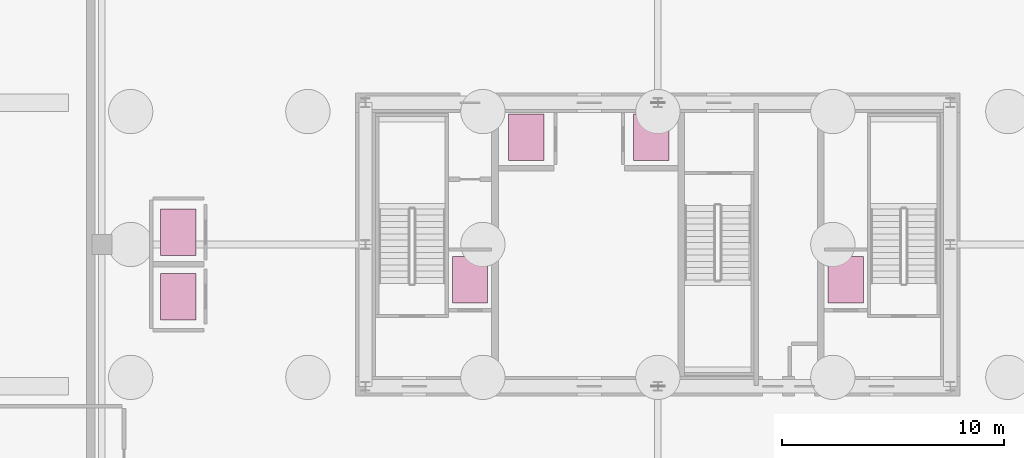
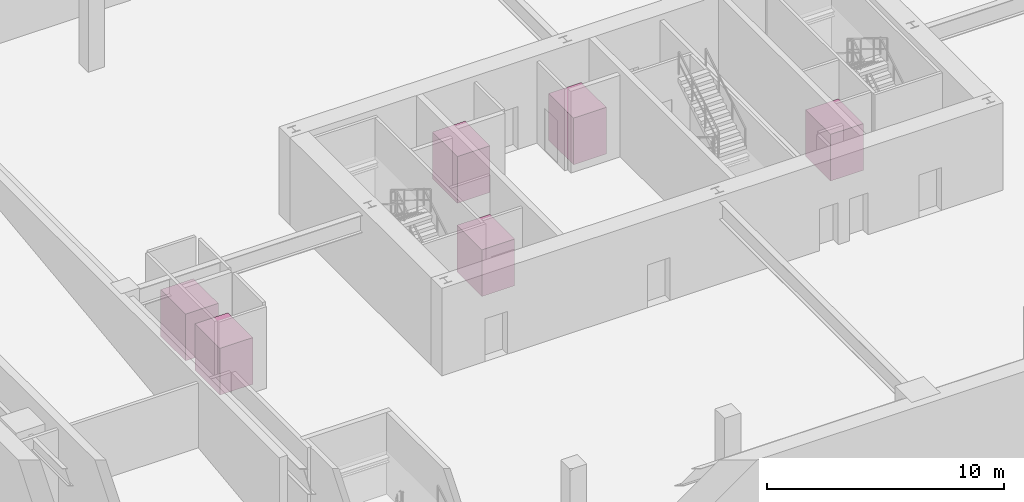
# One storey, part 10 of 10: 6 transport elements.
"""IFC4 building model written with IfcOpenShell, lengths in metres."""

from ifc_helpers import new_model, si_unit, direction, frame, origin, origin_2d, place, context, subcontext, project, spatial, rectangle, extrude, source, transform, mapped, material, type_object, element, save


model = new_model("IFC4")

# Units and contexts
model_context = context("Model", 3, precision=1e-05, world=origin(), true_north=direction((0.0, 1.0)))
body_context = subcontext(model_context, "Body", "Model", "MODEL_VIEW")
ifc_project = project(units=[si_unit("LENGTHUNIT", "METRE"), si_unit("AREAUNIT", "SQUARE_METRE"), si_unit("VOLUMEUNIT", "CUBIC_METRE"), si_unit("PLANEANGLEUNIT", "RADIAN"), si_unit("MASSUNIT", "GRAM", prefix="KILO"), si_unit("THERMODYNAMICTEMPERATUREUNIT", "KELVIN"), si_unit("POWERUNIT", "WATT")], contexts=[model_context])

# Site, building, storey
site_placement = place(None, origin())
site = spatial("IfcSite", under=ifc_project, at=site_placement, CompositionType="ELEMENT")
building_placement = place(site_placement, origin())
building = spatial("IfcBuilding", under=site, at=building_placement, Name="Yuzanri Waterfront Tower", CompositionType="ELEMENT")
storey_placement = place(building_placement, frame((0.0, 0.0, -9.0)))
storey = spatial("IfcBuildingStorey", under=building, at=storey_placement, Name="B02", CompositionType="ELEMENT", Elevation=-9.0)

# Transport elements
ifc_material_1 = material(Name="Brushed Bronze and Stainless Steel Cab", Category="steel")
transport_element_type_1 = type_object("IfcTransportElementType", Name="Firefighting and Stretcher High-Speed Lift 1600kg", PredefinedType="ELEVATOR", material=ifc_material_1)
shared_shape_1 = source(origin(), body_context, "Body", "SweptSolid", [
    extrude(rectangle(XDim=1.60009765625, YDim=2.10009765625, at=origin_2d()), origin(), (0.0, 0.0, 1.0), 2.39990234375),
])
for number, where, z_axis, x_axis, name in (
    (1, (28.52001953125, 24.199951171875, 0.0), (0.0, 0.0, 1.0), (1.0, 0.0, 0.0), "Elevator FL-01"),
    (2, (45.47998046875, 24.199951171875, 0.0), (0.0, 0.0, 1.0), (1.0, 0.0, 0.0), "Elevator FL-02"),
):
    element("IfcTransportElement", number, at=place(storey_placement, frame(where, z_axis=z_axis, x_axis=x_axis)), inside=storey, type_object=transport_element_type_1, Name=name, PredefinedType="ELEVATOR", context=body_context, shape_type="MappedRepresentation", body=[
        mapped(shared_shape_1, transform((0.0, 0.0, 0.0), scale=1.0)),
    ])
ifc_material_2 = material(Name="Brushed Bronze and Stainless Steel Cab", Category="steel")
transport_element_type_2 = type_object("IfcTransportElementType", Name="Heavy-Duty Back-of-House Service Lift 2000kg", PredefinedType="ELEVATOR", material=ifc_material_2)
shared_shape_2 = source(origin(), body_context, "Body", "SweptSolid", [
    extrude(rectangle(XDim=1.60009765625, YDim=2.10009765625, at=origin_2d()), origin(), (0.0, 0.0, 1.0), 2.39990234375),
])
for number, where, z_axis, x_axis, name in (
    (3, (31.050048828125, 30.64990234375, 0.0), (0.0, 0.0, 1.0), (1.0, 0.0, 0.0), "Elevator SL-01"),
    (4, (36.699951171875, 30.64990234375, 0.0), (0.0, 0.0, 1.0), (1.0, 0.0, 0.0), "Elevator SL-02"),
):
    element("IfcTransportElement", number, at=place(storey_placement, frame(where, z_axis=z_axis, x_axis=x_axis)), inside=storey, type_object=transport_element_type_2, Name=name, PredefinedType="ELEVATOR", context=body_context, shape_type="MappedRepresentation", body=[
        mapped(shared_shape_2, transform((0.0, 0.0, 0.0), scale=1.0)),
    ])
ifc_material_3 = material(Name="Brushed Bronze and Stainless Steel Cab", Category="steel")
transport_element_type_3 = type_object("IfcTransportElementType", Name="Podium Waterfront Retail Passenger Lift 1600kg", PredefinedType="ELEVATOR", material=ifc_material_3)
shared_shape_3 = source(origin(), body_context, "Body", "SweptSolid", [
    extrude(rectangle(XDim=1.60009765625, YDim=2.10009765625, at=origin_2d()), origin(), (0.0, 0.0, 1.0), 2.39990234375),
])
for number, where, z_axis, x_axis, name in (
    (5, (15.35009765625, 23.449951171875, 0.0), (0.0, 0.0, 1.0), (1.0, 0.0, 0.0), "Elevator RL-01"),
    (6, (15.35009765625, 26.35009765625, 0.0), (0.0, 0.0, 1.0), (1.0, 0.0, 0.0), "Elevator RL-02"),
):
    element("IfcTransportElement", number, at=place(storey_placement, frame(where, z_axis=z_axis, x_axis=x_axis)), inside=storey, type_object=transport_element_type_3, Name=name, PredefinedType="ELEVATOR", context=body_context, shape_type="MappedRepresentation", body=[
        mapped(shared_shape_3, transform((0.0, 0.0, 0.0), scale=1.0)),
    ])

save(model, "model.ifc")
